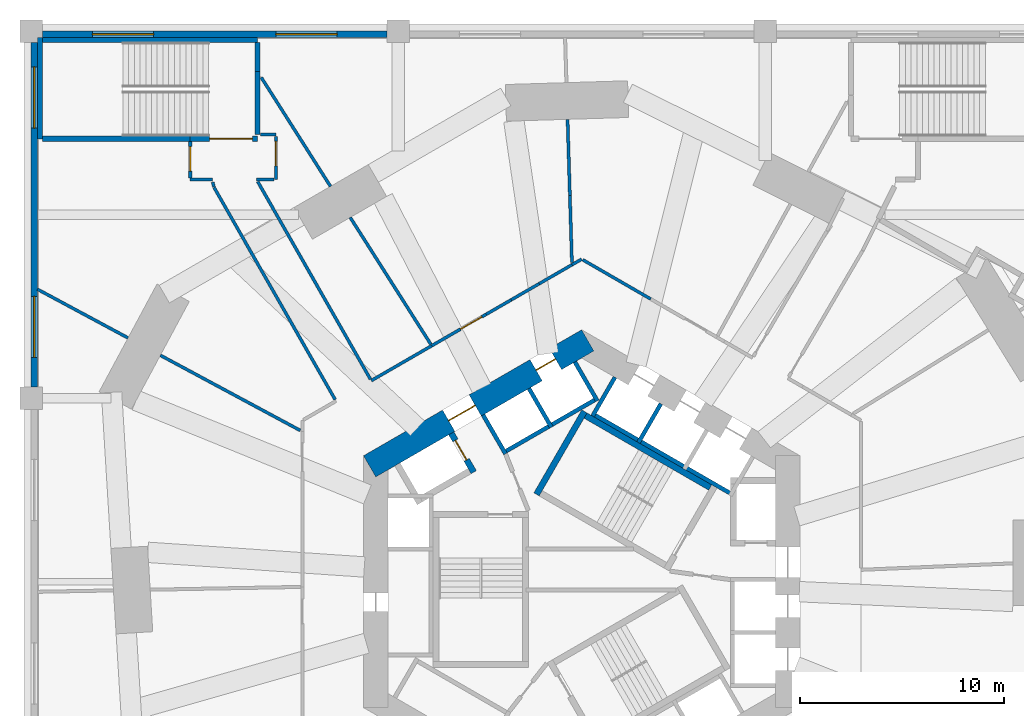
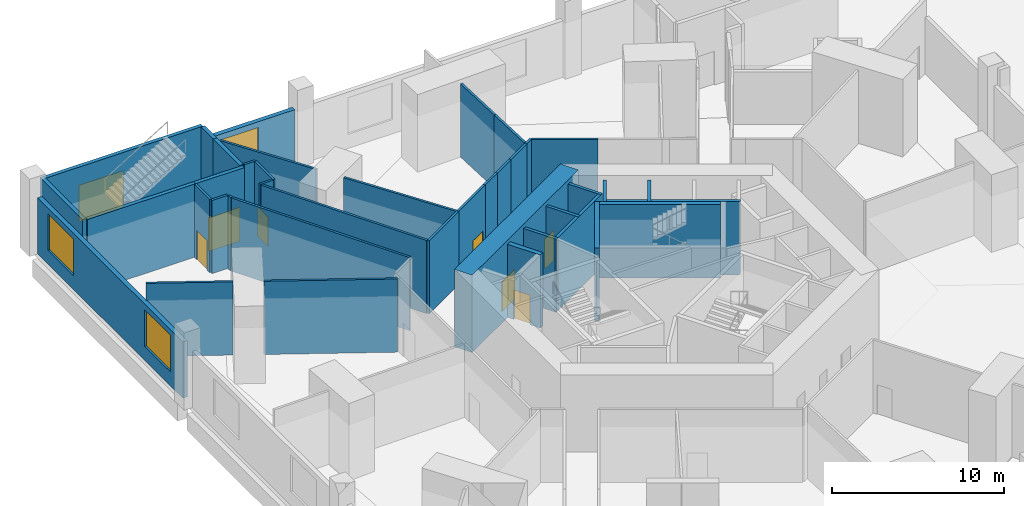
# One storey, part 8 of 16: 40 walls, 7 doors, 4 windows, 11 openings.
"""IFC4 building model written with IfcOpenShell, lengths in metres."""

from ifc_helpers import new_model, si_unit, direction, frame, frame_2d, origin, place, context, subcontext, project, spatial, rectangle, extrude, material, layer, layer_set, type_object, element, fill, save


model = new_model("IFC4")

# Units and contexts
model_context = context("Model", 3, precision=1e-05, world=origin(), true_north=direction((0.0, 1.0)))
body_context = subcontext(model_context, "Body", "Model", "MODEL_VIEW")
ifc_project = project(units=[si_unit("LENGTHUNIT", "METRE"), si_unit("AREAUNIT", "SQUARE_METRE"), si_unit("VOLUMEUNIT", "CUBIC_METRE"), si_unit("PLANEANGLEUNIT", "RADIAN"), si_unit("MASSUNIT", "GRAM", prefix="KILO")], contexts=[model_context])

# Site, building, storey
site_placement = place(None, origin())
site = spatial("IfcSite", under=ifc_project, at=site_placement, CompositionType="ELEMENT")
building_placement = place(site_placement, origin())
building = spatial("IfcBuilding", under=site, at=building_placement, Name="Vanh Sen Convention Tower", CompositionType="ELEMENT")
storey_placement = place(building_placement, frame((0.0, 0.0, 7.5)))
storey = spatial("IfcBuildingStorey", under=building, at=storey_placement, Name="L01", CompositionType="ELEMENT", Elevation=7.5)

# Wall
ifc_material_1 = material(Name="Concrete C40/50", Category="concrete")
ifc_layer_1 = layer(ifc_material_1, 0.25)
ifc_layer_set_1 = layer_set([ifc_layer_1], Name="Concrete C40/50")
wall_type_1 = type_object("IfcWallType", Name="Concrete wall 250 REI 180", PredefinedType="SOLIDWALL", material=ifc_layer_set_1)
wall_1_placement = place(storey_placement, frame((-19.199951171875, 21.72509765625, 0.0), z_axis=(0.0, 0.0, 1.0), x_axis=(-1.0, 0.0, 0.0)))
element("IfcWall", 1, at=wall_1_placement, inside=storey, type_object=wall_type_1, Name="Fire-resisting wall L01-103", PredefinedType="SOLIDWALL", context=body_context, shape_type="SweptSolid", body=[
    extrude(rectangle(XDim=7.239990234375, YDim=0.25, at=frame_2d((3.6201171875, 0.0))), origin(), (0.0, 0.0, 1.0), 5.199951171875),
])

# Wall, opening, door
wall_2_placement = place(storey_placement, frame((-15.89990234375, 21.72509765625, 0.0), z_axis=(0.0, 0.0, 1.0), x_axis=(-1.0, 0.0, 0.0)))
wall_2 = element("IfcWall", 2, at=wall_2_placement, inside=storey, type_object=wall_type_1, Name="Fire-resisting wall L01-104", PredefinedType="SOLIDWALL", context=body_context, shape_type="SweptSolid", body=[
    extrude(rectangle(XDim=3.300048828125, YDim=0.25, at=frame_2d((1.64990234375, 0.0))), origin(), (0.0, 0.0, 1.0), 5.199951171875),
])
opening_1_placement = place(wall_2_placement, frame((0.25, 0.0, 0.0)))
opening_1 = element("IfcOpeningElement", 3, at=opening_1_placement, cuts=wall_2, Name="Opening D01122", PredefinedType="OPENING", context=body_context, shape_type="SweptSolid", body=[
    extrude(rectangle(XDim=2.10009765625, YDim=2.39990234375, at=frame_2d((1.050048828125, 1.199951171875))), frame((0.0, 0.135009765625, 0.0), z_axis=(0.0, -1.0, 0.0), x_axis=(1.0, 0.0, 0.0)), (0.0, 0.0, 1.0), 0.27001953125),
])
ifc_material_2 = material(Name="Steel S355", Category="steel")
door_type_1 = type_object("IfcDoorType", Name="Stair door 2100 EI 60", OperationType="DOUBLE_DOOR_SINGLE_SWING", PredefinedType="DOOR", material=ifc_material_2)
door_1_placement = place(opening_1_placement, frame((2.10009765625, 0.0, 0.0), z_axis=(0.0, 0.0, 1.0), x_axis=(-1.0, 0.0, 0.0)))
door_1 = element("IfcDoor", 4, at=door_1_placement, inside=storey, type_object=door_type_1, Name="Stair door D01122", OperationType="DOUBLE_DOOR_SINGLE_SWING", OverallHeight=2.39990234375, OverallWidth=2.10009765625, PredefinedType="DOOR", context=body_context, shape_type="SweptSolid", body=[
    extrude(rectangle(XDim=2.10009765625, YDim=2.39990234375, at=frame_2d((1.050048828125, 1.199951171875))), frame((0.0, 0.02490234375, 0.0), z_axis=(0.0, -1.0, 0.0), x_axis=(1.0, 0.0, 0.0)), (0.0, 0.0, 1.0), 0.050048828125),
])
fill(opening_1, door_1)

# Walls
wall_3_placement = place(storey_placement, frame((-15.89990234375, 25.021484375, 0.0), z_axis=(0.0, 0.0, 1.0), x_axis=(0.0, -1.0, 0.0)))
element("IfcWall", 5, at=wall_3_placement, inside=storey, type_object=wall_type_1, Name="Fire-resisting wall L01-115", PredefinedType="SOLIDWALL", context=body_context, shape_type="SweptSolid", body=[
    extrude(rectangle(XDim=3.096435546875, YDim=0.25, at=frame_2d((1.54833984375, 0.0))), origin(), (0.0, 0.0, 1.0), 5.199951171875),
])
wall_4_placement = place(storey_placement, frame((-15.89990234375, 26.43994140625, 0.0), z_axis=(0.0, 0.0, 1.0), x_axis=(0.0, -1.0, 0.0)))
element("IfcWall", 6, at=wall_4_placement, inside=storey, type_object=wall_type_1, Name="Fire-resisting wall L01-116", PredefinedType="SOLIDWALL", context=body_context, shape_type="SweptSolid", body=[
    extrude(rectangle(XDim=1.41845703125, YDim=0.25, at=frame_2d((0.709228515625, 0.0))), origin(), (0.0, 0.0, 1.0), 5.199951171875),
])
wall_5_placement = place(storey_placement, frame((-26.574951171875, 21.72509765625, 0.0), z_axis=(0.0, 0.0, 1.0), x_axis=(0.0, 1.0, 0.0)))
element("IfcWall", 7, at=wall_5_placement, inside=storey, type_object=wall_type_1, Name="Stair enclosure wall PS5 L01", PredefinedType="SOLIDWALL", context=body_context, shape_type="SweptSolid", body=[
    extrude(rectangle(XDim=4.974853515625, YDim=0.25, at=frame_2d((2.4873046875, 0.0))), origin(), (0.0, 0.0, 1.0), 5.199951171875),
])
wall_6_placement = place(storey_placement, frame((-26.449951171875, 26.574951171875, 0.0), z_axis=(0.0, 0.0, 1.0), x_axis=(1.0, 0.0, 0.0)))
element("IfcWall", 8, at=wall_6_placement, inside=storey, type_object=wall_type_1, Name="Stair enclosure wall PS5 L01", PredefinedType="SOLIDWALL", context=body_context, shape_type="SweptSolid", body=[
    extrude(rectangle(XDim=10.550048828125, YDim=0.25, at=frame_2d((5.27490234375, 0.0))), origin(), (0.0, 0.0, 1.0), 5.199951171875),
])

# Wall, openings, doors
ifc_material_3 = material(Name="Concrete C80/95", Category="concrete")
ifc_layer_2 = layer(ifc_material_3, 1.199951171875)
ifc_layer_set_2 = layer_set([ifc_layer_2], Name="Concrete C80/95")
wall_type_2 = type_object("IfcWallType", Name="Core outer wall 1200 C80/95", PredefinedType="SHEAR", material=ifc_layer_set_2)
wall_7_placement = place(storey_placement, frame((0.300048828125, 11.835693359375, 0.0), z_axis=(0.0, 0.0, 1.0), x_axis=(-0.866021384402, -0.500006961711, 0.0)))
wall_7 = element("IfcWall", 9, at=wall_7_placement, inside=storey, type_object=wall_type_2, Name="Core wall face NW L01", PredefinedType="SHEAR", context=body_context, shape_type="SweptSolid", body=[
    extrude(rectangle(XDim=12.355224609375, YDim=1.199951171875, at=frame_2d((6.177734375, 0.0))), origin(), (0.0, 0.0, 1.0), 5.5),
])
opening_2_placement = place(wall_7_placement, frame((6.377685546875, 0.0, 0.0)))
opening_2 = element("IfcOpeningElement", 10, at=opening_2_placement, cuts=wall_7, Name="Opening D01002", PredefinedType="OPENING", context=body_context, shape_type="SweptSolid", body=[
    extrude(rectangle(XDim=1.5, YDim=2.10009765625, at=frame_2d((0.75, 1.050048828125))), frame((0.0, 0.60986328125, 0.0), z_axis=(0.0, -1.0, 0.0), x_axis=(1.0, 0.0, 0.0)), (0.0, 0.0, 1.0), 1.219970703125),
])
opening_3_placement = place(wall_7_placement, frame((1.82763671875, 0.0, 0.0)))
opening_3 = element("IfcOpeningElement", 11, at=opening_3_placement, cuts=wall_7, Name="Opening LD-LR6", PredefinedType="OPENING", context=body_context, shape_type="SweptSolid", body=[
    extrude(rectangle(XDim=1.10009765625, YDim=2.10009765625, at=frame_2d((0.550048828125, 1.050048828125))), frame((0.0, 0.60986328125, 0.0), z_axis=(0.0, -1.0, 0.0), x_axis=(1.0, 0.0, 0.0)), (0.0, 0.0, 1.0), 1.219970703125),
])
ifc_material_4 = material(Name="Stainless steel", Category="steel")
door_type_2 = type_object("IfcDoorType", Name="Lift landing door 1100", OperationType="DOUBLE_DOOR_SLIDING", PredefinedType="DOOR", material=ifc_material_4)
door_2_placement = place(opening_3_placement, origin())
door_2 = element("IfcDoor", 12, at=door_2_placement, inside=storey, type_object=door_type_2, Name="Lift LR6 landing door LD-LR6", OperationType="DOUBLE_DOOR_SLIDING", OverallHeight=2.10009765625, OverallWidth=1.10009765625, PredefinedType="DOOR", context=body_context, shape_type="SweptSolid", body=[
    extrude(rectangle(XDim=1.10009765625, YDim=2.10009765625, at=frame_2d((0.550048828125, 1.050048828125))), frame((0.0, 0.02490234375, 0.0), z_axis=(0.0, -1.0, 0.0), x_axis=(1.0, 0.0, 0.0)), (0.0, 0.0, 1.0), 0.050048828125),
])
fill(opening_3, door_2)
ifc_material_5 = material(Name="Steel S355", Category="steel")
door_type_3 = type_object("IfcDoorType", Name="Stair lobby door 1500", OperationType="DOUBLE_DOOR_SINGLE_SWING", PredefinedType="DOOR", material=ifc_material_5)
door_3_placement = place(opening_2_placement, origin())
door_3 = element("IfcDoor", 13, at=door_3_placement, inside=storey, type_object=door_type_3, Name="Stair lobby door D01002", OperationType="DOUBLE_DOOR_SINGLE_SWING", OverallHeight=2.10009765625, OverallWidth=1.5, PredefinedType="DOOR", context=body_context, shape_type="SweptSolid", body=[
    extrude(rectangle(XDim=1.5, YDim=2.10009765625, at=frame_2d((0.75, 1.050048828125))), frame((0.0, 0.02490234375, 0.0), z_axis=(0.0, -1.0, 0.0), x_axis=(1.0, 0.0, 0.0)), (0.0, 0.0, 1.0), 0.050048828125),
])
fill(opening_2, door_3)

# Wall, opening, door
ifc_material_6 = material(Name="Concrete C60/75", Category="concrete")
ifc_layer_3 = layer(ifc_material_6, 0.300048828125)
ifc_layer_set_3 = layer_set([ifc_layer_3], Name="Concrete C60/75")
wall_type_3 = type_object("IfcWallType", Name="Fire-fighting lift shaft wall 300", PredefinedType="SHEAR", material=ifc_layer_set_3)
wall_8_placement = place(storey_placement, frame((-5.29541015625, 5.3720703125, 0.0), z_axis=(0.0, 0.0, 1.0), x_axis=(-0.500077893725, 0.86598042715, 0.0)))
wall_8 = element("IfcWall", 14, at=wall_8_placement, inside=storey, type_object=wall_type_3, Name="Fire-fighting lift shaft wall L01", PredefinedType="SHEAR", context=body_context, shape_type="SweptSolid", body=[
    extrude(rectangle(XDim=2.199951171875, YDim=0.300048828125, at=frame_2d((1.10009765625, 0.0))), origin(), (0.0, 0.0, 1.0), 5.199951171875),
])
opening_4_placement = place(wall_8_placement, frame((0.699951171875, 0.0, 0.0)))
opening_4 = element("IfcOpeningElement", 15, at=opening_4_placement, cuts=wall_8, Name="Opening LD-FF2", PredefinedType="OPENING", context=body_context, shape_type="SweptSolid", body=[
    extrude(rectangle(XDim=1.10009765625, YDim=2.10009765625, at=frame_2d((0.550048828125, 1.050048828125))), frame((0.0, 0.159912109375, 0.0), z_axis=(0.0, -1.0, 0.0), x_axis=(1.0, 0.0, 0.0)), (0.0, 0.0, 1.0), 0.320068359375),
])
door_type_4 = type_object("IfcDoorType", Name="Fire-fighting lift landing door 1100", OperationType="DOUBLE_DOOR_SLIDING", PredefinedType="DOOR", material=ifc_material_4)
door_4_placement = place(opening_4_placement, origin())
door_4 = element("IfcDoor", 16, at=door_4_placement, inside=storey, type_object=door_type_4, Name="Lift FF2 landing door LD-FF2", OperationType="DOUBLE_DOOR_SLIDING", OverallHeight=2.10009765625, OverallWidth=1.10009765625, PredefinedType="DOOR", context=body_context, shape_type="SweptSolid", body=[
    extrude(rectangle(XDim=1.10009765625, YDim=2.10009765625, at=frame_2d((0.550048828125, 1.050048828125))), frame((0.0, 0.02490234375, 0.0), z_axis=(0.0, -1.0, 0.0), x_axis=(1.0, 0.0, 0.0)), (0.0, 0.0, 1.0), 0.050048828125),
])
fill(opening_4, door_4)

# Walls
ifc_layer_4 = layer(ifc_material_1, 0.199951171875)
ifc_layer_set_4 = layer_set([ifc_layer_4], Name="Concrete C40/50")
wall_type_4 = type_object("IfcWallType", Name="Lift shaft wall 200", PredefinedType="PARTITIONING", material=ifc_layer_set_4)
wall_9_placement = place(storey_placement, frame((7.423828125, 4.258544921875, 0.0), z_axis=(0.0, 0.0, 1.0), x_axis=(-0.866026010844, 0.49999894854, 0.0)))
element("IfcWall", 17, at=wall_9_placement, inside=storey, type_object=wall_type_4, Name="Lift shaft wall L01", PredefinedType="PARTITIONING", context=body_context, shape_type="SweptSolid", body=[
    extrude(rectangle(XDim=8.0, YDim=0.199951171875, at=frame_2d((4.0, 0.0))), origin(), (0.0, 0.0, 1.0), 5.199951171875),
])
for number, where, z_axis, x_axis, name in (
    (18, (2.783935546875, 6.822021484375, 0.0), (0.0, 0.0, 1.0), (0.50002983664, 0.866008176907, 0.0), "Lift shaft wall L01"),
    (19, (0.5322265625, 8.1220703125, 0.0), (0.0, 0.0, 1.0), (0.500077893725, 0.86598042715, 0.0), "Lift shaft wall L01"),
):
    element("IfcWall", number, at=place(storey_placement, frame(where, z_axis=z_axis, x_axis=x_axis)), inside=storey, type_object=wall_type_4, Name=name, PredefinedType="PARTITIONING", context=body_context, shape_type="SweptSolid", body=[
        extrude(rectangle(XDim=2.199951171875, YDim=0.199951171875, at=frame_2d((1.10009765625, 0.0))), origin(), (0.0, 0.0, 1.0), 5.199951171875),
    ])
wall_10_placement = place(storey_placement, frame((0.80322265625, 9.008544921875, 0.0), z_axis=(0.0, 0.0, 1.0), x_axis=(-0.866028230842, -0.499995103361, 0.0)))
element("IfcWall", 20, at=wall_10_placement, inside=storey, type_object=wall_type_4, Name="Lift shaft wall L01", PredefinedType="PARTITIONING", context=body_context, shape_type="SweptSolid", body=[
    extrude(rectangle(XDim=5.39990234375, YDim=0.199951171875, at=frame_2d((2.699951171875, 0.0))), origin(), (0.0, 0.0, 1.0), 5.199951171875),
])
wall_11_placement = place(storey_placement, frame((0.7666015625, 8.8720703125, 0.0), z_axis=(0.0, 0.0, 1.0), x_axis=(-0.499994660107, 0.866028486751, 0.0)))
element("IfcWall", 21, at=wall_11_placement, inside=storey, type_object=wall_type_4, Name="Lift shaft wall L01", PredefinedType="PARTITIONING", context=body_context, shape_type="SweptSolid", body=[
    extrude(rectangle(XDim=2.19970703125, YDim=0.199951171875, at=frame_2d((1.099853515625, 0.0))), origin(), (0.0, 0.0, 1.0), 5.199951171875),
])
for number, where, z_axis, x_axis, name in (
    (22, (-1.48486328125, 7.572021484375, 0.0), (0.0, 0.0, 1.0), (-0.50002983664, 0.866008176907, 0.0), "Lift shaft wall L01"),
    (23, (-3.736572265625, 6.27197265625, 0.0), (0.0, 0.0, 1.0), (-0.50002983664, 0.866008176907, 0.0), "Lift shaft wall L01"),
):
    element("IfcWall", number, at=place(storey_placement, frame(where, z_axis=z_axis, x_axis=x_axis)), inside=storey, type_object=wall_type_4, Name=name, PredefinedType="PARTITIONING", context=body_context, shape_type="SweptSolid", body=[
        extrude(rectangle(XDim=2.199951171875, YDim=0.199951171875, at=frame_2d((1.10009765625, 0.0))), origin(), (0.0, 0.0, 1.0), 5.199951171875),
    ])
ifc_material_7 = material(Name="Acoustic operable panels on an overhead track", Category="gypsum")
ifc_layer_5 = layer(ifc_material_7, 0.14990234375)
ifc_layer_set_5 = layer_set([ifc_layer_5], Name="Acoustic operable panels on an overhead track")
wall_type_5 = type_object("IfcWallType", Name="Operable partition 150 EI 60", PredefinedType="MOVABLE", material=ifc_layer_set_5)
wall_12_placement = place(storey_placement, frame((-13.8056640625, 7.418212890625, 0.0), z_axis=(0.0, 0.0, 1.0), x_axis=(-0.880891557551, 0.473318142305, 0.0)))
element("IfcWall", 24, at=wall_12_placement, inside=storey, type_object=wall_type_5, Name="Operable partition L01-056", PredefinedType="MOVABLE", context=body_context, shape_type="SweptSolid", body=[
    extrude(rectangle(XDim=7.787109375, YDim=0.14990234375, at=frame_2d((3.8935546875, 0.0))), origin(), (0.0, 0.0, 1.0), 5.199951171875),
])
ifc_material_8 = material(Name="Gypsum board on steel studs", Category="steel")
ifc_layer_6 = layer(ifc_material_8, 0.14990234375)
ifc_layer_set_6 = layer_set([ifc_layer_6], Name="Gypsum board on steel studs")
wall_type_6 = type_object("IfcWallType", Name="Partition 150 EI 60", PredefinedType="PARTITIONING", material=ifc_layer_set_6)
wall_13_placement = place(storey_placement, frame((-12.092041015625, 8.929931640625, 0.0), z_axis=(0.0, 0.0, 1.0), x_axis=(-0.495564220718, 0.868571299977, 0.0)))
element("IfcWall", 25, at=wall_13_placement, inside=storey, type_object=wall_type_6, Name="Partition L01-062", PredefinedType="PARTITIONING", context=body_context, shape_type="SweptSolid", body=[
    extrude(rectangle(XDim=11.98828125, YDim=0.14990234375, at=frame_2d((5.994140625, 0.0))), origin(), (0.0, 0.0, 1.0), 5.199951171875),
])
wall_14_placement = place(storey_placement, frame((-10.320556640625, 9.860595703125, 0.0), z_axis=(0.0, 0.0, 1.0), x_axis=(0.865970719175, 0.500094704563, 0.0)))
element("IfcWall", 26, at=wall_14_placement, inside=storey, type_object=wall_type_6, Name="Partition L01-066", PredefinedType="PARTITIONING", context=body_context, shape_type="SweptSolid", body=[
    extrude(rectangle(XDim=3.425048828125, YDim=0.14990234375, at=frame_2d((1.71240234375, 0.0))), origin(), (0.0, 0.0, 1.0), 5.199951171875),
])

# Wall, opening, door
wall_15_placement = place(storey_placement, frame((-7.3544921875, 11.573486328125, 0.0), z_axis=(0.0, 0.0, 1.0), x_axis=(0.866051051954, 0.499955573435, 0.0)))
wall_15 = element("IfcWall", 27, at=wall_15_placement, inside=storey, type_object=wall_type_6, Name="Partition L01-069", PredefinedType="PARTITIONING", context=body_context, shape_type="SweptSolid", body=[
    extrude(rectangle(XDim=3.082275390625, YDim=0.14990234375, at=frame_2d((1.541015625, 0.0))), origin(), (0.0, 0.0, 1.0), 5.199951171875),
])
opening_5_placement = place(wall_15_placement, frame((1.63232421875, 0.0, 0.0)))
opening_5 = element("IfcOpeningElement", 28, at=opening_5_placement, cuts=wall_15, Name="Opening D01117", PredefinedType="OPENING", context=body_context, shape_type="SweptSolid", body=[
    extrude(rectangle(XDim=1.199951171875, YDim=2.10009765625, at=frame_2d((0.60009765625, 1.050048828125))), frame((0.0, 0.0849609375, 0.0), z_axis=(0.0, -1.0, 0.0), x_axis=(1.0, 0.0, 0.0)), (0.0, 0.0, 1.0), 0.169921875),
])
ifc_material_9 = material(Name="Timber door in steel frame", Category="steel")
door_type_5 = type_object("IfcDoorType", Name="Room door 1200 EI 30", OperationType="SINGLE_SWING_LEFT", PredefinedType="DOOR", material=ifc_material_9)
door_5_placement = place(opening_5_placement, origin())
door_5 = element("IfcDoor", 29, at=door_5_placement, inside=storey, type_object=door_type_5, Name="Room door D01117", OperationType="SINGLE_SWING_LEFT", OverallHeight=2.10009765625, OverallWidth=1.199951171875, PredefinedType="DOOR", context=body_context, shape_type="SweptSolid", body=[
    extrude(rectangle(XDim=1.199951171875, YDim=2.10009765625, at=frame_2d((0.60009765625, 1.050048828125))), frame((0.0, 0.02490234375, 0.0), z_axis=(0.0, -1.0, 0.0), x_axis=(1.0, 0.0, 0.0)), (0.0, 0.0, 1.0), 0.050048828125),
])
fill(opening_5, door_5)

# Walls
wall_16_placement = place(storey_placement, frame((-7.3974609375, 11.64111328125, 0.0), z_axis=(0.0, 0.0, 1.0), x_axis=(-0.536312130721, 0.844019726334, 0.0)))
element("IfcWall", 30, at=wall_16_placement, inside=storey, type_object=wall_type_6, Name="Partition L01-070", PredefinedType="PARTITIONING", context=body_context, shape_type="SweptSolid", body=[
    extrude(rectangle(XDim=7.37646484375, YDim=0.14990234375, at=frame_2d((3.688232421875, 0.0))), origin(), (0.0, 0.0, 1.0), 5.199951171875),
])
wall_17_placement = place(storey_placement, frame((-22.2509765625, 11.9560546875, 0.0), z_axis=(0.0, 0.0, 1.0), x_axis=(-0.880902248523, 0.473298244817, 0.0)))
element("IfcWall", 31, at=wall_17_placement, inside=storey, type_object=wall_type_6, Name="Partition L01-073", PredefinedType="PARTITIONING", context=body_context, shape_type="SweptSolid", body=[
    extrude(rectangle(XDim=5.050537109375, YDim=0.14990234375, at=frame_2d((2.525390625, 0.0))), origin(), (0.0, 0.0, 1.0), 5.199951171875),
])
wall_18_placement = place(storey_placement, frame((-3.459716796875, 13.822021484375, 0.0), z_axis=(0.0, 0.0, 1.0), x_axis=(-0.866004557827, -0.500036104519, 0.0)))
element("IfcWall", 32, at=wall_18_placement, inside=storey, type_object=wall_type_6, Name="Partition L01-079", PredefinedType="PARTITIONING", context=body_context, shape_type="SweptSolid", body=[
    extrude(rectangle(XDim=1.4150390625, YDim=0.14990234375, at=frame_2d((0.70751953125, 0.0))), origin(), (0.0, 0.0, 1.0), 5.199951171875),
])
wall_19_placement = place(storey_placement, frame((3.385986328125, 13.864501953125, 0.0), z_axis=(0.0, 0.0, 1.0), x_axis=(-0.866006051527, 0.500033517596, 0.0)))
element("IfcWall", 33, at=wall_19_placement, inside=storey, type_object=wall_type_6, Name="Partition L01-080", PredefinedType="PARTITIONING", context=body_context, shape_type="SweptSolid", body=[
    extrude(rectangle(XDim=3.849853515625, YDim=0.14990234375, at=frame_2d((1.9248046875, 0.0))), origin(), (0.0, 0.0, 1.0), 5.199951171875),
])
wall_20_placement = place(storey_placement, frame((-2.0869140625, 14.614501953125, 0.0), z_axis=(0.0, 0.0, 1.0), x_axis=(-0.866054784643, -0.499949107407, 0.0)))
element("IfcWall", 34, at=wall_20_placement, inside=storey, type_object=wall_type_6, Name="Partition L01-083", PredefinedType="PARTITIONING", context=body_context, shape_type="SweptSolid", body=[
    extrude(rectangle(XDim=1.585205078125, YDim=0.14990234375, at=frame_2d((0.79248046875, 0.0))), origin(), (0.0, 0.0, 1.0), 5.199951171875),
])
wall_21_placement = place(storey_placement, frame((-2.0869140625, 14.614501953125, 0.0), z_axis=(0.0, 0.0, 1.0), x_axis=(0.866006459158, 0.500032811619, 0.0)))
element("IfcWall", 35, at=wall_21_placement, inside=storey, type_object=wall_type_6, Name="Partition L01-084", PredefinedType="PARTITIONING", context=body_context, shape_type="SweptSolid", body=[
    extrude(rectangle(XDim=1.861083984375, YDim=0.14990234375, at=frame_2d((0.9306640625, 0.0))), origin(), (0.0, 0.0, 1.0), 5.199951171875),
])
wall_22_placement = place(storey_placement, frame((-0.47509765625, 15.545166015625, 0.0), z_axis=(0.0, 0.0, 1.0), x_axis=(0.865933599817, 0.500158975434, 0.0)))
element("IfcWall", 36, at=wall_22_placement, inside=storey, type_object=wall_type_6, Name="Partition L01-086", PredefinedType="PARTITIONING", context=body_context, shape_type="SweptSolid", body=[
    extrude(rectangle(XDim=0.548583984375, YDim=0.14990234375, at=frame_2d((0.2744140625, 0.0))), origin(), (0.0, 0.0, 1.0), 5.199951171875),
])
wall_23_placement = place(storey_placement, frame((-0.5791015625, 18.945556640625, 0.0), z_axis=(0.0, 0.0, 1.0), x_axis=(0.030572886356, -0.999532540051, 0.0)))
element("IfcWall", 37, at=wall_23_placement, inside=storey, type_object=wall_type_6, Name="Partition L01-093", PredefinedType="PARTITIONING", context=body_context, shape_type="SweptSolid", body=[
    extrude(rectangle(XDim=3.281982421875, YDim=0.14990234375, at=frame_2d((1.64111328125, 0.0))), origin(), (0.0, 0.0, 1.0), 5.199951171875),
])
wall_24_placement = place(storey_placement, frame((-0.5791015625, 18.945556640625, 0.0), z_axis=(0.0, 0.0, 1.0), x_axis=(-0.030471255388, 0.999535643484, 0.0)))
element("IfcWall", 38, at=wall_24_placement, inside=storey, type_object=wall_type_6, Name="Partition L01-094", PredefinedType="PARTITIONING", context=body_context, shape_type="SweptSolid", body=[
    extrude(rectangle(XDim=3.733642578125, YDim=0.14990234375, at=frame_2d((1.86669921875, 0.0))), origin(), (0.0, 0.0, 1.0), 5.199951171875),
])
wall_25_placement = place(storey_placement, frame((-18.0380859375, 19.36181640625, 0.0), z_axis=(0.0, 0.0, 1.0), x_axis=(-0.257536433885, 0.966268588552, 0.0)))
element("IfcWall", 39, at=wall_25_placement, inside=storey, type_object=wall_type_6, Name="Partition L01-095", PredefinedType="PARTITIONING", context=body_context, shape_type="SweptSolid", body=[
    extrude(rectangle(XDim=0.24072265625, YDim=0.14990234375, at=frame_2d((0.120361328125, 0.0))), origin(), (0.0, 0.0, 1.0), 5.199951171875),
])
wall_26_placement = place(storey_placement, frame((-12.31982421875, 19.387451171875, 0.0), z_axis=(0.0, 0.0, 1.0), x_axis=(-0.536309341483, 0.844021498682, 0.0)))
element("IfcWall", 40, at=wall_26_placement, inside=storey, type_object=wall_type_6, Name="Partition L01-096", PredefinedType="PARTITIONING", context=body_context, shape_type="SweptSolid", body=[
    extrude(rectangle(XDim=6.33544921875, YDim=0.14990234375, at=frame_2d((3.167724609375, 0.0))), origin(), (0.0, 0.0, 1.0), 5.199951171875),
])
wall_27_placement = place(storey_placement, frame((-15.888916015625, 19.620849609375, 0.0), z_axis=(0.0, 0.0, 1.0), x_axis=(0.495540263005, -0.868584968636, 0.0)))
element("IfcWall", 41, at=wall_27_placement, inside=storey, type_object=wall_type_6, Name="Partition L01-097", PredefinedType="PARTITIONING", context=body_context, shape_type="SweptSolid", body=[
    extrude(rectangle(XDim=11.1572265625, YDim=0.14990234375, at=frame_2d((5.57861328125, 0.0))), origin(), (0.0, 0.0, 1.0), 5.199951171875),
])
wall_28_placement = place(storey_placement, frame((-18.10009765625, 19.72509765625, 0.0), z_axis=(0.0, 0.0, 1.0), x_axis=(-1.0, 0.0, 0.0)))
element("IfcWall", 42, at=wall_28_placement, inside=storey, type_object=wall_type_6, Name="Partition L01-098", PredefinedType="PARTITIONING", context=body_context, shape_type="SweptSolid", body=[
    extrude(rectangle(XDim=1.099853515625, YDim=0.14990234375, at=frame_2d((0.5498046875, 0.0))), origin(), (0.0, 0.0, 1.0), 5.199951171875),
])
wall_29_placement = place(storey_placement, frame((-15.080078125, 19.72509765625, 0.0), z_axis=(0.0, 0.0, 1.0), x_axis=(-1.0, 0.0, 0.0)))
element("IfcWall", 43, at=wall_29_placement, inside=storey, type_object=wall_type_6, Name="Partition L01-099", PredefinedType="PARTITIONING", context=body_context, shape_type="SweptSolid", body=[
    extrude(rectangle(XDim=0.868408203125, YDim=0.14990234375, at=frame_2d((0.43408203125, 0.0))), origin(), (0.0, 0.0, 1.0), 5.199951171875),
])

# Wall, opening, door
wall_30_placement = place(storey_placement, frame((-19.199951171875, 19.804931640625, 0.0), z_axis=(0.0, 0.0, 1.0), x_axis=(0.0, 1.0, 0.0)))
wall_30 = element("IfcWall", 44, at=wall_30_placement, inside=storey, type_object=wall_type_6, Name="Partition L01-101", PredefinedType="PARTITIONING", context=body_context, shape_type="SweptSolid", body=[
    extrude(rectangle(XDim=1.780029296875, YDim=0.14990234375, at=frame_2d((0.89013671875, 0.0))), origin(), (0.0, 0.0, 1.0), 5.199951171875),
])
opening_6_placement = place(wall_30_placement, frame((0.330078125, 0.0, 0.0)))
opening_6 = element("IfcOpeningElement", 45, at=opening_6_placement, cuts=wall_30, Name="Opening D01121", PredefinedType="OPENING", context=body_context, shape_type="SweptSolid", body=[
    extrude(rectangle(XDim=1.199951171875, YDim=2.10009765625, at=frame_2d((0.60009765625, 1.050048828125))), frame((0.0, 0.0849609375, 0.0), z_axis=(0.0, -1.0, 0.0), x_axis=(1.0, 0.0, 0.0)), (0.0, 0.0, 1.0), 0.169921875),
])
door_6_placement = place(opening_6_placement, origin())
door_6 = element("IfcDoor", 46, at=door_6_placement, inside=storey, type_object=door_type_5, Name="Room door D01121", OperationType="SINGLE_SWING_LEFT", OverallHeight=2.10009765625, OverallWidth=1.199951171875, PredefinedType="DOOR", context=body_context, shape_type="SweptSolid", body=[
    extrude(rectangle(XDim=1.199951171875, YDim=2.10009765625, at=frame_2d((0.60009765625, 1.050048828125))), frame((0.0, 0.02490234375, 0.0), z_axis=(0.0, -1.0, 0.0), x_axis=(1.0, 0.0, 0.0)), (0.0, 0.0, 1.0), 0.050048828125),
])
fill(opening_6, door_6)

wall_31_placement = place(storey_placement, frame((-15.0, 21.844970703125, 0.0), z_axis=(0.0, 0.0, 1.0), x_axis=(0.0, -1.0, 0.0)))
wall_31 = element("IfcWall", 47, at=wall_31_placement, inside=storey, type_object=wall_type_6, Name="Partition L01-108", PredefinedType="PARTITIONING", context=body_context, shape_type="SweptSolid", body=[
    extrude(rectangle(XDim=2.119873046875, YDim=0.14990234375, at=frame_2d((1.06005859375, 0.0))), origin(), (0.0, 0.0, 1.0), 5.199951171875),
])
opening_7_placement = place(wall_31_placement, frame((0.25, 0.0, 0.0)))
opening_7 = element("IfcOpeningElement", 48, at=opening_7_placement, cuts=wall_31, Name="Opening D01125", PredefinedType="OPENING", context=body_context, shape_type="SweptSolid", body=[
    extrude(rectangle(XDim=1.199951171875, YDim=2.10009765625, at=frame_2d((0.60009765625, 1.050048828125))), frame((0.0, 0.0849609375, 0.0), z_axis=(0.0, -1.0, 0.0), x_axis=(1.0, 0.0, 0.0)), (0.0, 0.0, 1.0), 0.169921875),
])
door_7_placement = place(opening_7_placement, origin())
door_7 = element("IfcDoor", 49, at=door_7_placement, inside=storey, type_object=door_type_5, Name="Room door D01125", OperationType="SINGLE_SWING_LEFT", OverallHeight=2.10009765625, OverallWidth=1.199951171875, PredefinedType="DOOR", context=body_context, shape_type="SweptSolid", body=[
    extrude(rectangle(XDim=1.199951171875, YDim=2.10009765625, at=frame_2d((0.60009765625, 1.050048828125))), frame((0.0, 0.02490234375, 0.0), z_axis=(0.0, -1.0, 0.0), x_axis=(1.0, 0.0, 0.0)), (0.0, 0.0, 1.0), 0.050048828125),
])
fill(opening_7, door_7)

# Wall
wall_32_placement = place(storey_placement, frame((-15.760009765625, 21.925048828125, 0.0), z_axis=(0.0, 0.0, 1.0), x_axis=(1.0, 0.0, 0.0)))
element("IfcWall", 50, at=wall_32_placement, inside=storey, type_object=wall_type_6, Name="Partition L01-111", PredefinedType="PARTITIONING", context=body_context, shape_type="SweptSolid", body=[
    extrude(rectangle(XDim=0.760009765625, YDim=0.14990234375, at=frame_2d((0.3798828125, 0.0))), origin(), (0.0, 0.0, 1.0), 5.199951171875),
])

# Wall, openings, windows
ifc_material_10 = material(Name="Concrete C50/60", Category="concrete")
ifc_layer_7 = layer(ifc_material_10, 0.300048828125)
ifc_layer_set_7 = layer_set([ifc_layer_7], Name="Concrete C50/60")
wall_type_7 = type_object("IfcWallType", Name="Podium wall 300", PredefinedType="STANDARD", material=ifc_layer_set_7)
wall_33_placement = place(storey_placement, frame((-9.550048828125, 26.85009765625, 0.0), z_axis=(0.0, 0.0, 1.0), x_axis=(-1.0, 0.0, 0.0)))
wall_33 = element("IfcWall", 51, at=wall_33_placement, inside=storey, type_object=wall_type_7, Name="Podium wall N4 L01", PredefinedType="STANDARD", context=body_context, shape_type="SweptSolid", body=[
    extrude(rectangle(XDim=16.89990234375, YDim=0.300048828125, at=frame_2d((8.449951171875, 0.0))), origin(), (0.0, 0.0, 1.0), 4.0),
])
opening_8_placement = place(wall_33_placement, frame((2.449951171875, 0.0, 1.0)))
opening_8 = element("IfcOpeningElement", 52, at=opening_8_placement, cuts=wall_33, Name="Opening WP2-N7", PredefinedType="OPENING", context=body_context, shape_type="SweptSolid", body=[
    extrude(rectangle(XDim=3.0, YDim=2.60009765625, at=frame_2d((1.5, 1.300048828125))), frame((0.0, 0.159912109375, 0.0), z_axis=(0.0, -1.0, 0.0), x_axis=(1.0, 0.0, 0.0)), (0.0, 0.0, 1.0), 0.320068359375),
])
opening_9_placement = place(wall_33_placement, frame((11.449951171875, 0.0, 1.0)))
opening_9 = element("IfcOpeningElement", 53, at=opening_9_placement, cuts=wall_33, Name="Opening WP2-N8", PredefinedType="OPENING", context=body_context, shape_type="SweptSolid", body=[
    extrude(rectangle(XDim=3.0, YDim=2.60009765625, at=frame_2d((1.5, 1.300048828125))), frame((0.0, 0.159912109375, 0.0), z_axis=(0.0, -1.0, 0.0), x_axis=(1.0, 0.0, 0.0)), (0.0, 0.0, 1.0), 0.320068359375),
])
ifc_material_11 = material(Name="Aluminium frame with clear low-emissivity glass", Category="aluminium")
window_type = type_object("IfcWindowType", Name="Podium window 3000 x 2600", PartitioningType="SINGLE_PANEL", PredefinedType="WINDOW", material=ifc_material_11)
window_1_placement = place(opening_8_placement, origin())
window_1 = element("IfcWindow", 54, at=window_1_placement, inside=storey, type_object=window_type, Name="Window WP2-N7", OverallHeight=2.60009765625, OverallWidth=3.0, PartitioningType="SINGLE_PANEL", PredefinedType="WINDOW", context=body_context, shape_type="SweptSolid", body=[
    extrude(rectangle(XDim=3.0, YDim=2.60009765625, at=frame_2d((1.5, 1.300048828125))), frame((0.0, 0.030029296875, 0.0), z_axis=(0.0, -1.0, 0.0), x_axis=(1.0, 0.0, 0.0)), (0.0, 0.0, 1.0), 0.06005859375),
])
fill(opening_8, window_1)
window_2_placement = place(opening_9_placement, origin())
window_2 = element("IfcWindow", 55, at=window_2_placement, inside=storey, type_object=window_type, Name="Window WP2-N8", OverallHeight=2.60009765625, OverallWidth=3.0, PartitioningType="SINGLE_PANEL", PredefinedType="WINDOW", context=body_context, shape_type="SweptSolid", body=[
    extrude(rectangle(XDim=3.0, YDim=2.60009765625, at=frame_2d((1.5, 1.300048828125))), frame((0.0, 0.030029296875, 0.0), z_axis=(0.0, -1.0, 0.0), x_axis=(1.0, 0.0, 0.0)), (0.0, 0.0, 1.0), 0.06005859375),
])
fill(opening_9, window_2)

wall_34_placement = place(storey_placement, frame((-26.85009765625, 26.449951171875, 0.0), z_axis=(0.0, 0.0, 1.0), x_axis=(0.0, -1.0, 0.0)))
wall_34 = element("IfcWall", 56, at=wall_34_placement, inside=storey, type_object=wall_type_7, Name="Podium wall W1 L01", PredefinedType="STANDARD", context=body_context, shape_type="SweptSolid", body=[
    extrude(rectangle(XDim=16.89990234375, YDim=0.300048828125, at=frame_2d((8.449951171875, 0.0))), origin(), (0.0, 0.0, 1.0), 4.0),
])
opening_10_placement = place(wall_34_placement, frame((1.199951171875, 0.0, 1.0)))
opening_10 = element("IfcOpeningElement", 57, at=opening_10_placement, cuts=wall_34, Name="Opening WP2-W1", PredefinedType="OPENING", context=body_context, shape_type="SweptSolid", body=[
    extrude(rectangle(XDim=3.0, YDim=2.60009765625, at=frame_2d((1.5, 1.300048828125))), frame((0.0, 0.159912109375, 0.0), z_axis=(0.0, -1.0, 0.0), x_axis=(1.0, 0.0, 0.0)), (0.0, 0.0, 1.0), 0.320068359375),
])
opening_11_placement = place(wall_34_placement, frame((12.449951171875, 0.0, 1.0)))
opening_11 = element("IfcOpeningElement", 58, at=opening_11_placement, cuts=wall_34, Name="Opening WP2-W2", PredefinedType="OPENING", context=body_context, shape_type="SweptSolid", body=[
    extrude(rectangle(XDim=3.0, YDim=2.60009765625, at=frame_2d((1.5, 1.300048828125))), frame((0.0, 0.159912109375, 0.0), z_axis=(0.0, -1.0, 0.0), x_axis=(1.0, 0.0, 0.0)), (0.0, 0.0, 1.0), 0.320068359375),
])
window_3_placement = place(opening_10_placement, origin())
window_3 = element("IfcWindow", 59, at=window_3_placement, inside=storey, type_object=window_type, Name="Window WP2-W1", OverallHeight=2.60009765625, OverallWidth=3.0, PartitioningType="SINGLE_PANEL", PredefinedType="WINDOW", context=body_context, shape_type="SweptSolid", body=[
    extrude(rectangle(XDim=3.0, YDim=2.60009765625, at=frame_2d((1.5, 1.300048828125))), frame((0.0, 0.030029296875, 0.0), z_axis=(0.0, -1.0, 0.0), x_axis=(1.0, 0.0, 0.0)), (0.0, 0.0, 1.0), 0.06005859375),
])
fill(opening_10, window_3)
window_4_placement = place(opening_11_placement, origin())
window_4 = element("IfcWindow", 60, at=window_4_placement, inside=storey, type_object=window_type, Name="Window WP2-W2", OverallHeight=2.60009765625, OverallWidth=3.0, PartitioningType="SINGLE_PANEL", PredefinedType="WINDOW", context=body_context, shape_type="SweptSolid", body=[
    extrude(rectangle(XDim=3.0, YDim=2.60009765625, at=frame_2d((1.5, 1.300048828125))), frame((0.0, 0.030029296875, 0.0), z_axis=(0.0, -1.0, 0.0), x_axis=(1.0, 0.0, 0.0)), (0.0, 0.0, 1.0), 0.06005859375),
])
fill(opening_11, window_4)

# Walls
ifc_layer_8 = layer(ifc_material_6, 0.300048828125)
ifc_layer_set_8 = layer_set([ifc_layer_8], Name="Concrete C60/75")
wall_type_8 = type_object("IfcWallType", Name="Stair wall 300", PredefinedType="SHEAR", material=ifc_layer_set_8)
wall_35_placement = place(storey_placement, frame((-2.216064453125, 4.28173828125, 0.0), z_axis=(0.0, 0.0, 1.0), x_axis=(0.499977259774, 0.866038532462, 0.0)))
element("IfcWall", 61, at=wall_35_placement, inside=storey, type_object=wall_type_8, Name="Stair wall L01", PredefinedType="SHEAR", context=body_context, shape_type="SweptSolid", body=[
    extrude(rectangle(XDim=4.699951171875, YDim=0.300048828125, at=frame_2d((2.35009765625, 0.0))), origin(), (0.0, 0.0, 1.0), 5.199951171875),
])
wall_36_placement = place(storey_placement, frame((6.302978515625, 4.6171875, 0.0), z_axis=(0.0, 0.0, 1.0), x_axis=(-0.866027801685, 0.499995846692, 0.0)))
element("IfcWall", 62, at=wall_36_placement, inside=storey, type_object=wall_type_8, Name="Stair wall L01", PredefinedType="SHEAR", context=body_context, shape_type="SweptSolid", body=[
    extrude(rectangle(XDim=7.06005859375, YDim=0.300048828125, at=frame_2d((3.530029296875, 0.0))), origin(), (0.0, 0.0, 1.0), 5.199951171875),
])

save(model, "model.ifc")
